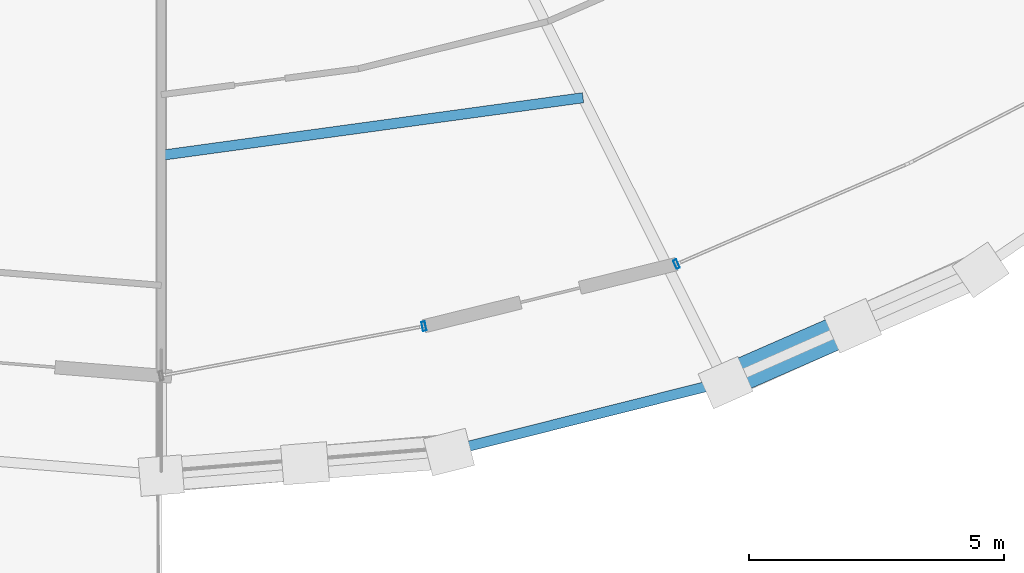
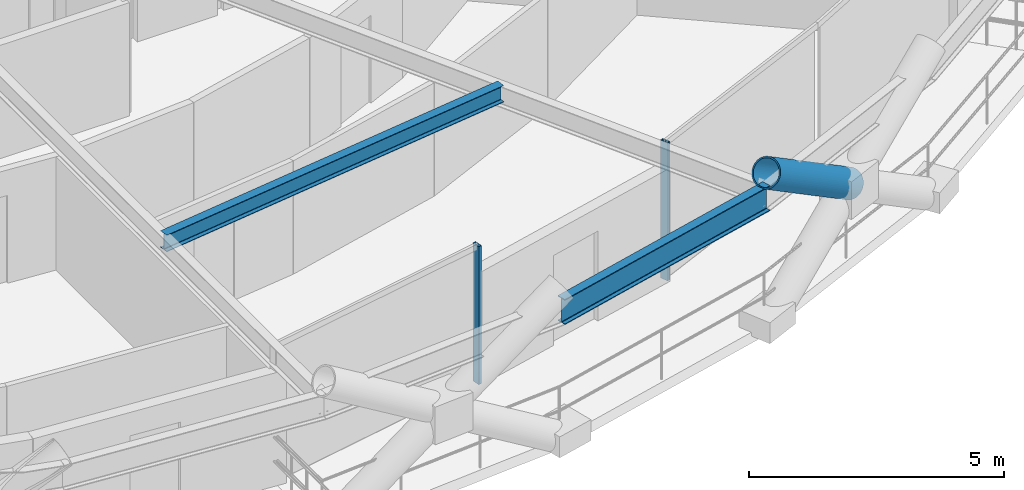
# One storey, part 4 of 14: 3 members, 2 beams, 2 elements without a shape of their own.
"""IFC4 building model written with IfcOpenShell, lengths in metres."""

import ifcopenshell
import ifcopenshell.guid

model = None  # the IFC model being written
_history = None  # IfcOwnerHistory: only IFC2X3 demands one
_inside = {}  # id of a spatial element -> (the spatial element, [elements in it])
_under = {}  # id of a project, library or spatial element -> (it, [spatial elements below it])
_declared = {}  # id of a project -> (the project, [libraries it declares])
_typed = {}  # id of a type object -> (the type object, [elements of that type])
_made_of = {}  # id of a material, layer set ... -> (it, [elements and type objects made of it])


def new_model(schema):
    """Start an empty IFC model of exactly this schema.

    Asked for "IFC4X3", IfcOpenShell would pick the latest addendum, in which some entities
    have other attributes; the version numbers below select the first issue.
    IFC2X3 requires an IfcOwnerHistory on every rooted entity: one is made here for all.
    """
    global model, _history
    if schema == "IFC4X3":
        model = ifcopenshell.file(schema_version=(4, 3, 0, 0))
    else:
        model = ifcopenshell.file(schema=schema)
    _inside.clear()
    _under.clear()
    _declared.clear()
    _typed.clear()
    _made_of.clear()
    _history = None
    if model.schema == "IFC2X3":
        org = make("IfcOrganization", Name="unknown")
        user = make(
            "IfcPersonAndOrganization",
            ThePerson=make("IfcPerson", FamilyName="unknown"),
            TheOrganization=org,
        )
        app = make(
            "IfcApplication",
            ApplicationDeveloper=org,
            Version="unknown",
            ApplicationFullName="unknown",
            ApplicationIdentifier="unknown",
        )
        _history = make(
            "IfcOwnerHistory",
            OwningUser=user,
            OwningApplication=app,
            ChangeAction="ADDED",
            CreationDate=0,
        )
    return model


def make(cls, **values):
    """One entity of the class cls with the attributes given. An attribute that is None is left unset."""
    return model.create_entity(
        cls, **{name: value for name, value in values.items() if value is not None}
    )


def rooted(cls, **values):
    """An entity with a GlobalId (a new one), such as an element, a storey or a relation."""
    return make(cls, GlobalId=ifcopenshell.guid.new(), OwnerHistory=_history, **values)


def si_unit(unit_type, name, prefix=None):
    """IfcSIUnit, for example si_unit("LENGTHUNIT", "METRE", prefix="MILLI")."""
    return make("IfcSIUnit", UnitType=unit_type, Prefix=prefix, Name=name)


def assignment(units):
    """IfcUnitAssignment: the units of a project."""
    return None if units is None else make("IfcUnitAssignment", Units=units)


def point(xyz):
    """IfcCartesianPoint."""
    return None if xyz is None else make("IfcCartesianPoint", Coordinates=xyz)


def direction(xyz):
    """IfcDirection."""
    return None if xyz is None else make("IfcDirection", DirectionRatios=xyz)


def frame(location, z_axis=None, x_axis=None):
    """IfcAxis2Placement3D, a coordinate frame: its origin and axes. An axis left out is left unset."""
    return make(
        "IfcAxis2Placement3D",
        Location=point(location),
        Axis=direction(z_axis),
        RefDirection=direction(x_axis),
    )


def frame_2d(location, x_axis=None):
    """IfcAxis2Placement2D, a coordinate frame in the plane: its origin and x axis."""
    return make(
        "IfcAxis2Placement2D", Location=point(location), RefDirection=direction(x_axis)
    )


def origin():
    """The frame at (0, 0, 0) with its axes left unset."""
    return frame((0.0, 0.0, 0.0))


def origin_2d():
    """The frame at (0, 0) in the plane with its x axis left unset."""
    return frame_2d((0.0, 0.0))


def place(relative_to, where):
    """IfcLocalPlacement: puts the frame where relative to a parent placement (None: the world)."""
    return make(
        "IfcLocalPlacement", PlacementRelTo=relative_to, RelativePlacement=where
    )


def context(
    kind, dimensions, precision=None, world=None, true_north=None, identifier=None
):
    """IfcGeometricRepresentationContext, for example the 3D "Model" context."""
    return make(
        "IfcGeometricRepresentationContext",
        ContextIdentifier=identifier,
        ContextType=kind,
        CoordinateSpaceDimension=dimensions,
        Precision=precision,
        WorldCoordinateSystem=world,
        TrueNorth=true_north,
    )


def subcontext(parent, identifier, kind, view, scale=None):
    """IfcGeometricRepresentationSubContext, for example "Body" below "Model"."""
    return make(
        "IfcGeometricRepresentationSubContext",
        ContextIdentifier=identifier,
        ContextType=kind,
        ParentContext=parent,
        TargetScale=scale,
        TargetView=view,
    )


def project(units=None, contexts=None):
    """IfcProject with its units and contexts."""
    return rooted(
        "IfcProject",
        Name="project",
        RepresentationContexts=contexts,
        UnitsInContext=assignment(units),
    )


def spatial(cls, under=None, at=None, **own):
    """A site, building, storey or space (cls), placed at a placement, below another one or the project."""
    s = rooted(cls, ObjectPlacement=at, **own)
    if under is not None:
        _under.setdefault(under.id(), (under, []))[1].append(s)
    return s


def profile(cls, at=None, kind="AREA", **sizes):
    """A parametric profile (cls). Its sizes go by their IFC names, for example OverallWidth=200.0."""
    return make(cls, ProfileType=kind, Position=at, **sizes)


def hollow_rectangle(**sizes):
    """IfcRectangleHollowProfileDef."""
    return profile("IfcRectangleHollowProfileDef", **sizes)


def hollow_circle(**sizes):
    """IfcCircleHollowProfileDef."""
    return profile("IfcCircleHollowProfileDef", **sizes)


def i_section(**sizes):
    """IfcIShapeProfileDef."""
    return profile("IfcIShapeProfileDef", **sizes)


def extrude(swept, where, along, depth):
    """IfcExtrudedAreaSolid: the profile swept, set in the frame where, extruded along a direction by depth."""
    return make(
        "IfcExtrudedAreaSolid",
        SweptArea=swept,
        Position=where,
        ExtrudedDirection=direction(along),
        Depth=depth,
    )


def shape(context_of_items, identifier, shape_type, items):
    """IfcShapeRepresentation: the items that make up one representation, for example the "Body"."""
    return make(
        "IfcShapeRepresentation",
        ContextOfItems=context_of_items,
        RepresentationIdentifier=identifier,
        RepresentationType=shape_type,
        Items=items,
    )


def material(Name=None, Category=None):
    """IfcMaterial."""
    return make("IfcMaterial", Name=Name, Category=Category)


def layer(
    of_material, thickness, ventilated=None, Name=None, Category=None, Priority=None
):
    """IfcMaterialLayer: one layer of a wall or slab, of a material (None: an air gap)."""
    return make(
        "IfcMaterialLayer",
        Material=of_material,
        LayerThickness=thickness,
        IsVentilated=ventilated,
        Name=Name,
        Category=Category,
        Priority=Priority,
    )


def layer_set(layers, Name=None):
    """IfcMaterialLayerSet."""
    return make("IfcMaterialLayerSet", MaterialLayers=layers, LayerSetName=Name)


def material_profile(
    of_material, cross_section, Name=None, Category=None, Priority=None
):
    """IfcMaterialProfile: a cross section and its material."""
    return make(
        "IfcMaterialProfile",
        Name=Name,
        Material=of_material,
        Profile=cross_section,
        Priority=Priority,
        Category=Category,
    )


def profile_set(profiles, Name=None, composite=None):
    """IfcMaterialProfileSet."""
    return make(
        "IfcMaterialProfileSet",
        Name=Name,
        MaterialProfiles=profiles,
        CompositeProfile=composite,
    )


def made_of(thing, what):
    """Note that an element or type object is made of a material, layer set ...; save() writes the relation."""
    if what is not None:
        _made_of.setdefault(what.id(), (what, []))[1].append(thing)
    return thing


def type_object(cls, material=None, **own):
    """A type object (cls), such as IfcWallType, which elements share."""
    return made_of(rooted(cls, **own), material)


def element(
    cls,
    number,
    at=None,
    inside=None,
    cuts=None,
    type_object=None,
    material=None,
    context=None,
    identifier="Body",
    shape_type=None,
    held_by="IfcProductDefinitionShape",
    body=None,
    shapes=None,
    **own,
):
    """One element of the class cls, such as IfcWall. Its Tag is "e" and its number.

    at: its placement. inside: the storey or other place that contains it. cuts: it is an
    opening in that element (IfcRelVoidsElement). A single representation is given by context,
    identifier, shape_type and body (its items); several are given by shapes. held_by: the class
    of the entity that holds the representations. save() writes the other relations.
    """
    e = rooted(cls, Tag="e%d" % number, ObjectPlacement=at, **own)
    if body is not None:
        shapes = [shape(context, identifier, shape_type, body)]
    if shapes is not None:
        e.Representation = make(held_by, Representations=shapes)
    if inside is not None:
        _inside.setdefault(inside.id(), (inside, []))[1].append(e)
    if cuts is not None:
        rooted(
            "IfcRelVoidsElement", RelatingBuildingElement=cuts, RelatedOpeningElement=e
        )
    if type_object is not None:
        _typed.setdefault(type_object.id(), (type_object, []))[1].append(e)
    return made_of(e, material)


def aggregate(whole, parts):
    """IfcRelAggregates: a whole, such as a stair, and the parts it consists of."""
    return rooted("IfcRelAggregates", RelatingObject=whole, RelatedObjects=parts)


def save(model, path):
    """Write the relations noted so far, then the file.

    IfcRelAggregates (storeys below a building ...), IfcRelContainedInSpatialStructure (elements
    in a storey), IfcRelDefinesByType, IfcRelAssociatesMaterial and IfcRelDeclares: one each for
    every whole, place, type object, material and project.
    """
    for whole, parts in _under.values():
        aggregate(whole, parts)
    for where, things in _inside.values():
        rooted(
            "IfcRelContainedInSpatialStructure",
            RelatedElements=things,
            RelatingStructure=where,
        )
    for kind, things in _typed.values():
        rooted("IfcRelDefinesByType", RelatedObjects=things, RelatingType=kind)
    for what, things in _made_of.values():
        rooted("IfcRelAssociatesMaterial", RelatedObjects=things, RelatingMaterial=what)
    for by, libraries in _declared.values():
        rooted("IfcRelDeclares", RelatingContext=by, RelatedDefinitions=libraries)
    model.write(path)


model = new_model("IFC4")

# Units and contexts
model_context = context("Model", 3, precision=1e-05, world=origin(), true_north=direction((0.0, 1.0)))
body_context = subcontext(model_context, "Body", "Model", "MODEL_VIEW")
ifc_project = project(units=[si_unit("LENGTHUNIT", "METRE"), si_unit("AREAUNIT", "SQUARE_METRE"), si_unit("VOLUMEUNIT", "CUBIC_METRE"), si_unit("PLANEANGLEUNIT", "RADIAN"), si_unit("MASSUNIT", "GRAM", prefix="KILO")], contexts=[model_context])

# Site, building, storey
site_placement = place(None, origin())
site = spatial("IfcSite", under=ifc_project, at=site_placement, CompositionType="ELEMENT")
building_placement = place(site_placement, origin())
building = spatial("IfcBuilding", under=site, at=building_placement, Name="Veldorina Hangang Commons", CompositionType="ELEMENT")
storey_placement = place(building_placement, frame((0.0, 0.0, 88.0)))
storey = spatial("IfcBuildingStorey", under=building, at=storey_placement, Name="L22", CompositionType="ELEMENT", Elevation=88.0)

# Beams
ifc_material_1 = material(Name="Steel SM355-TMC", Category="steel")
ifc_material_profile_1 = material_profile(ifc_material_1, i_section(OverallWidth=0.199951171875, OverallDepth=0.39990234375, WebThickness=0.008056640625, FlangeThickness=0.012939453125, FilletRadius=0.012939453125, at=origin_2d()), Name="H-400x200x8x13")
ifc_profile_set_1 = profile_set([ifc_material_profile_1], Name="Steel SM355-TMC")
beam_type_1 = type_object("IfcBeamType", Name="BM-JST400", PredefinedType="JOIST", material=ifc_profile_set_1)
beam_1_placement = place(storey_placement, frame((32.0, 6.321044921875, 3.139892578125), z_axis=(0.990808643362, 0.135270958593, 0.0), x_axis=(-0.135270958593, 0.990808643362, 0.0)))
element("IfcBeam", 1, at=beam_1_placement, inside=storey, type_object=beam_type_1, Name="L22 secondary floor joist 13", PredefinedType="JOIST", context=body_context, shape_type="SweptSolid", body=[
    extrude(i_section(OverallWidth=0.199951171875, OverallDepth=0.39990234375, WebThickness=0.008056640625, FlangeThickness=0.012939453125, FilletRadius=0.012939453125, at=origin_2d()), origin(), (0.0, 0.0, 1.0), 8.3564453125),
])
ifc_material_2 = material(Name="Steel SM420-TMC", Category="steel")
ifc_material_profile_2 = material_profile(ifc_material_2, i_section(OverallWidth=0.199951171875, OverallDepth=0.60009765625, WebThickness=0.010986328125, FlangeThickness=0.01708984375, FilletRadius=0.01806640625, at=origin_2d()), Name="H-600x200x11x17")
ifc_profile_set_2 = profile_set([ifc_material_profile_2], Name="Steel SM420-TMC")
beam_type_2 = type_object("IfcBeamType", Name="BM-RB600", PredefinedType="BEAM", material=ifc_profile_set_2)
beam_2_placement = place(storey_placement, frame((37.643310546875, 0.511962890625, 3.0400390625), z_axis=(0.969880111736, 0.243582776195, 0.0), x_axis=(-0.243582776195, 0.969880111736, 0.0)))
element("IfcBeam", 2, at=beam_2_placement, inside=storey, type_object=beam_type_2, Name="L22 perimeter hoop ring beam 25", PredefinedType="BEAM", context=body_context, shape_type="SweptSolid", body=[
    extrude(i_section(OverallWidth=0.199951171875, OverallDepth=0.60009765625, WebThickness=0.010986328125, FlangeThickness=0.01708984375, FilletRadius=0.01806640625, at=origin_2d()), origin(), (0.0, 0.0, 1.0), 5.5947265625),
])

# Curtain wall, member
ifc_material_3 = material(Name="Glass Low-E Triple IGU", Category="glass")
ifc_layer = layer(ifc_material_3, 0.179931640625)
ifc_layer_set = layer_set([ifc_layer], Name="Glass Low-E Triple IGU")
curtain_wall_type = type_object("IfcCurtainWallType", Name="CW-SYS-Z1", PredefinedType="NOTDEFINED", material=ifc_layer_set)
curtain_wall_1_placement = place(storey_placement, origin())
curtain_wall_1 = element("IfcCurtainWall", 3, at=curtain_wall_1_placement, inside=storey, type_object=curtain_wall_type, Name="L22 unitised curtain wall CW-L22-R1", PredefinedType="NOTDEFINED")
ifc_material_4 = material(Name="Aluminium Anodized AA6063-T6", Category="aluminium")
ifc_material_profile_3 = material_profile(ifc_material_4, hollow_rectangle(XDim=0.070068359375, YDim=0.179931640625, WallThickness=0.00390625, at=origin_2d()), Name="ALU-RHS-180x70x4")
ifc_profile_set_3 = profile_set([ifc_material_profile_3], Name="Aluminium Anodized AA6063-T6")
member_type_1 = type_object("IfcMemberType", Name="CW-MUL-180", PredefinedType="MULLION", material=ifc_profile_set_3)
member_1_placement = place(storey_placement, frame((37.156494140625, 2.9658203125, 0.0), z_axis=(0.0, 0.0, 1.0), x_axis=(-0.982690482187, -0.185255003223, 0.0)))
member_1 = element("IfcMember", 4, at=member_1_placement, type_object=member_type_1, Name="CW-L22-R1 vertical mullion 2", PredefinedType="MULLION", context=body_context, shape_type="SweptSolid", body=[
    extrude(hollow_rectangle(XDim=0.070068359375, YDim=0.179931640625, WallThickness=0.00390625, at=origin_2d()), origin(), (0.0, 0.0, 1.0), 3.300048828125),
])
aggregate(curtain_wall_1, [member_1])

curtain_wall_2_placement = place(storey_placement, origin())
curtain_wall_2 = element("IfcCurtainWall", 5, at=curtain_wall_2_placement, inside=storey, type_object=curtain_wall_type, Name="L22 unitised curtain wall CW-L22-R2", PredefinedType="NOTDEFINED")
member_2_placement = place(storey_placement, frame((42.114990234375, 4.186279296875, 0.0), z_axis=(0.0, 0.0, 1.0), x_axis=(0.917435479177, 0.397884583198, 0.0)))
member_2 = element("IfcMember", 6, at=member_2_placement, type_object=member_type_1, Name="CW-L22-R2 vertical mullion 1", PredefinedType="MULLION", context=body_context, shape_type="SweptSolid", body=[
    extrude(hollow_rectangle(XDim=0.070068359375, YDim=0.179931640625, WallThickness=0.00390625, at=origin_2d()), origin(), (0.0, 0.0, 1.0), 3.300048828125),
])
aggregate(curtain_wall_2, [member_2])

# Member
ifc_material_5 = material(Name="Steel SM460-TMC", Category="steel")
ifc_material_profile_4 = material_profile(ifc_material_5, hollow_circle(Radius=0.324951171875, WallThickness=0.031982421875, at=origin_2d()), Name="CHS-650x32")
ifc_profile_set_4 = profile_set([ifc_material_profile_4], Name="Steel SM460-TMC")
member_type_2 = type_object("IfcMemberType", Name="DG-CHS650", PredefinedType="BRACE", material=ifc_profile_set_4)
member_3_placement = place(storey_placement, frame((45.574951171875, 2.974853515625, 1.80078125), z_axis=(-0.765479862388, -0.3349952772, 0.549380327763), x_axis=(0.400917110766, -0.916114332545, 0.0)))
element("IfcMember", 7, at=member_3_placement, inside=storey, type_object=member_type_2, Name="L22 split perimeter diagrid upper brace 27", PredefinedType="BRACE", context=body_context, shape_type="SweptSolid", body=[
    extrude(hollow_circle(Radius=0.324951171875, WallThickness=0.031982421875, at=origin_2d()), origin(), (0.0, 0.0, 1.0), 3.275146484375),
])

save(model, "model.ifc")
